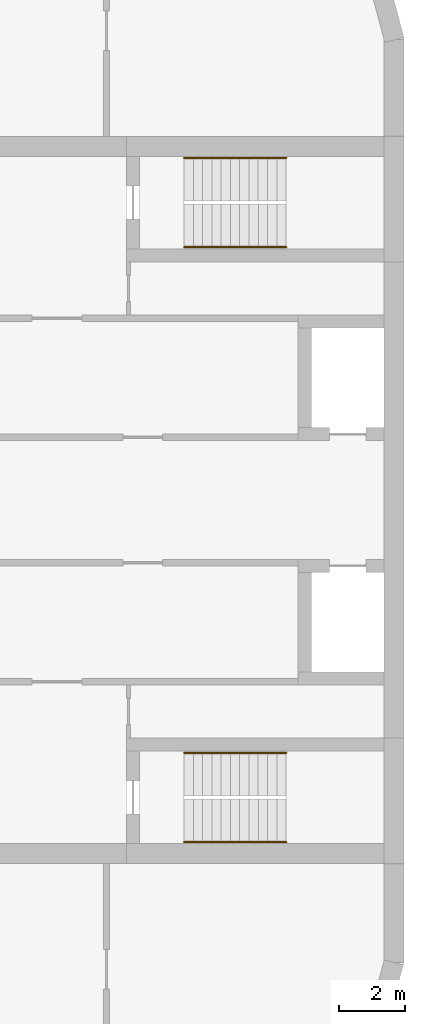
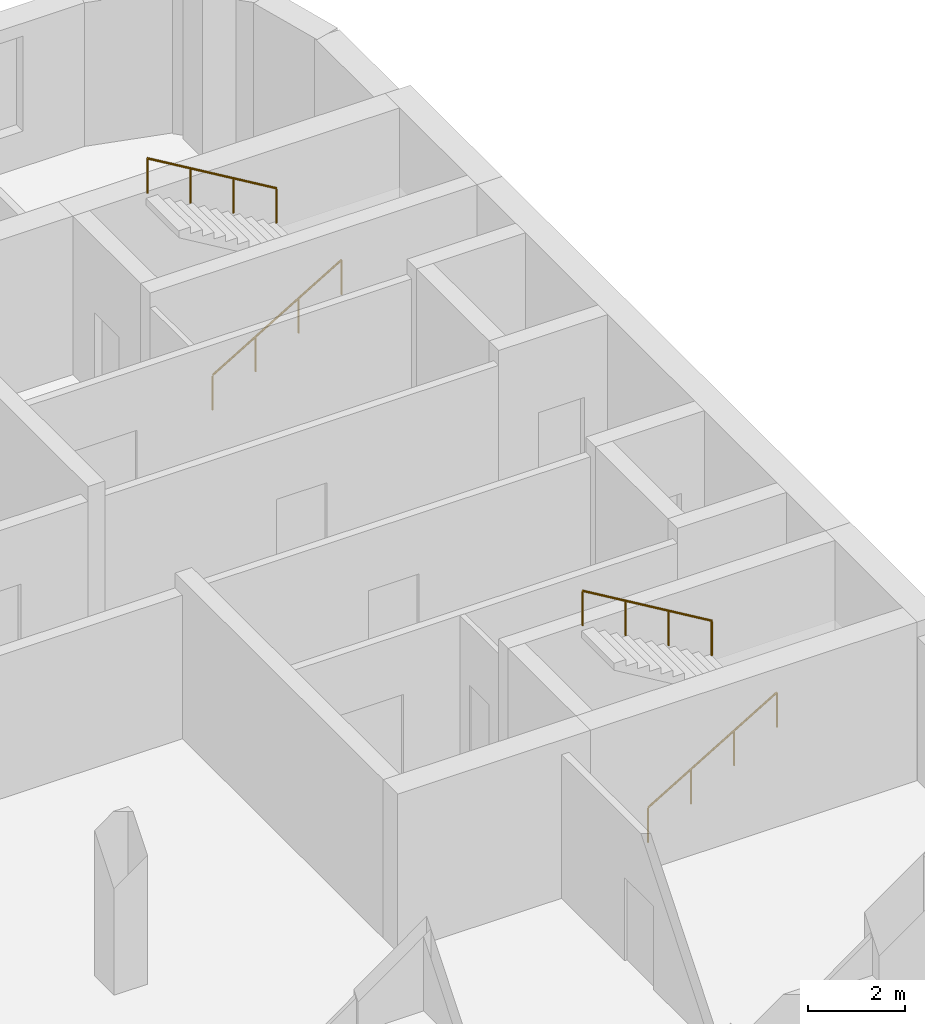
# One storey, part 13 of 15: 4 railings.
"""IFC4 building model written with IfcOpenShell, lengths in metres."""

from ifc_helpers import new_model, si_unit, direction, frame, origin, origin_2d, place, context, subcontext, project, spatial, circle, extrude, material, type_object, element, save


model = new_model("IFC4")

# Units and contexts
model_context = context("Model", 3, precision=1e-05, world=origin(), true_north=direction((0.0, 1.0)))
body_context = subcontext(model_context, "Body", "Model", "MODEL_VIEW")
ifc_project = project(units=[si_unit("LENGTHUNIT", "METRE"), si_unit("AREAUNIT", "SQUARE_METRE"), si_unit("VOLUMEUNIT", "CUBIC_METRE"), si_unit("PLANEANGLEUNIT", "RADIAN"), si_unit("MASSUNIT", "GRAM", prefix="KILO")], contexts=[model_context])

# Site, building, storey
site_placement = place(None, origin())
site = spatial("IfcSite", under=ifc_project, at=site_placement, CompositionType="ELEMENT")
building_placement = place(site_placement, origin())
building = spatial("IfcBuilding", under=site, at=building_placement, Name="Skarvind Civic Tower", CompositionType="ELEMENT")
storey_placement = place(building_placement, frame((0.0, 0.0, 55.5)))
storey = spatial("IfcBuildingStorey", under=building, at=storey_placement, Name="L12", CompositionType="ELEMENT", Elevation=55.5)

# Railings
ifc_material = material(Name="Painted steel handrail", Category="steel")
railing_type = type_object("IfcRailingType", Name="Stair handrail 900", PredefinedType="HANDRAIL", material=ifc_material)
railing_1_placement = place(storey_placement, frame((160.35009765625, 135.64990234375, 0.166748046875)))
element("IfcRailing", 1, at=railing_1_placement, inside=storey, type_object=railing_type, Name="Stair handrail", PredefinedType="HANDRAIL", context=body_context, shape_type="SweptSolid", body=[
    extrude(circle(Radius=0.02392578125, at=origin_2d()), frame((0.0, 0.0, 0.8759765625), z_axis=(0.859290745958, 0.0, 0.51148745235), x_axis=(0.0, 1.0, 0.0)), (0.0, 0.0, 1.0), 3.584228515625),
    extrude(circle(Radius=0.02099609375, at=origin_2d()), origin(), (0.0, 0.0, 1.0), 0.851806640625),
    extrude(circle(Radius=0.02099609375, at=origin_2d()), frame((1.026611328125, 0.0, 0.611083984375)), (0.0, 0.0, 1.0), 0.851806640625),
    extrude(circle(Radius=0.02099609375, at=origin_2d()), frame((2.05322265625, 0.0, 1.22216796875)), (0.0, 0.0, 1.0), 0.851806640625),
    extrude(circle(Radius=0.02099609375, at=origin_2d()), frame((3.079833984375, 0.0, 1.833251953125)), (0.0, 0.0, 1.0), 0.851806640625),
])
railing_2_placement = place(storey_placement, frame((163.429931640625, 138.35009765625, 2.166748046875)))
element("IfcRailing", 2, at=railing_2_placement, inside=storey, type_object=railing_type, Name="Stair handrail", PredefinedType="HANDRAIL", context=body_context, shape_type="SweptSolid", body=[
    extrude(circle(Radius=0.02392578125, at=origin_2d()), frame((0.0, 0.0, 0.8759765625), z_axis=(-0.859290745958, 0.0, 0.51148745235), x_axis=(0.0, -1.0, 0.0)), (0.0, 0.0, 1.0), 3.584228515625),
    extrude(circle(Radius=0.02099609375, at=origin_2d()), origin(), (0.0, 0.0, 1.0), 0.851806640625),
    extrude(circle(Radius=0.02099609375, at=origin_2d()), frame((-1.026611328125, 0.0, 0.611083984375)), (0.0, 0.0, 1.0), 0.851806640625),
    extrude(circle(Radius=0.02099609375, at=origin_2d()), frame((-2.05322265625, 0.0, 1.22216796875)), (0.0, 0.0, 1.0), 0.851806640625),
    extrude(circle(Radius=0.02099609375, at=origin_2d()), frame((-3.079833984375, 0.0, 1.833251953125)), (0.0, 0.0, 1.0), 0.851806640625),
])
railing_3_placement = place(storey_placement, frame((160.35009765625, 117.64990234375, 0.166748046875)))
element("IfcRailing", 3, at=railing_3_placement, inside=storey, type_object=railing_type, Name="Stair handrail", PredefinedType="HANDRAIL", context=body_context, shape_type="SweptSolid", body=[
    extrude(circle(Radius=0.02392578125, at=origin_2d()), frame((0.0, 0.0, 0.8759765625), z_axis=(0.859290745958, 0.0, 0.51148745235), x_axis=(0.0, 1.0, 0.0)), (0.0, 0.0, 1.0), 3.584228515625),
    extrude(circle(Radius=0.02099609375, at=origin_2d()), origin(), (0.0, 0.0, 1.0), 0.851806640625),
    extrude(circle(Radius=0.02099609375, at=origin_2d()), frame((1.026611328125, 0.0, 0.611083984375)), (0.0, 0.0, 1.0), 0.851806640625),
    extrude(circle(Radius=0.02099609375, at=origin_2d()), frame((2.05322265625, 0.0, 1.22216796875)), (0.0, 0.0, 1.0), 0.851806640625),
    extrude(circle(Radius=0.02099609375, at=origin_2d()), frame((3.079833984375, 0.0, 1.833251953125)), (0.0, 0.0, 1.0), 0.851806640625),
])
railing_4_placement = place(storey_placement, frame((163.429931640625, 120.35009765625, 2.166748046875)))
element("IfcRailing", 4, at=railing_4_placement, inside=storey, type_object=railing_type, Name="Stair handrail", PredefinedType="HANDRAIL", context=body_context, shape_type="SweptSolid", body=[
    extrude(circle(Radius=0.02392578125, at=origin_2d()), frame((0.0, 0.0, 0.8759765625), z_axis=(-0.859290745958, 0.0, 0.51148745235), x_axis=(0.0, -1.0, 0.0)), (0.0, 0.0, 1.0), 3.584228515625),
    extrude(circle(Radius=0.02099609375, at=origin_2d()), origin(), (0.0, 0.0, 1.0), 0.851806640625),
    extrude(circle(Radius=0.02099609375, at=origin_2d()), frame((-1.026611328125, 0.0, 0.611083984375)), (0.0, 0.0, 1.0), 0.851806640625),
    extrude(circle(Radius=0.02099609375, at=origin_2d()), frame((-2.05322265625, 0.0, 1.22216796875)), (0.0, 0.0, 1.0), 0.851806640625),
    extrude(circle(Radius=0.02099609375, at=origin_2d()), frame((-3.079833984375, 0.0, 1.833251953125)), (0.0, 0.0, 1.0), 0.851806640625),
])

save(model, "model.ifc")
